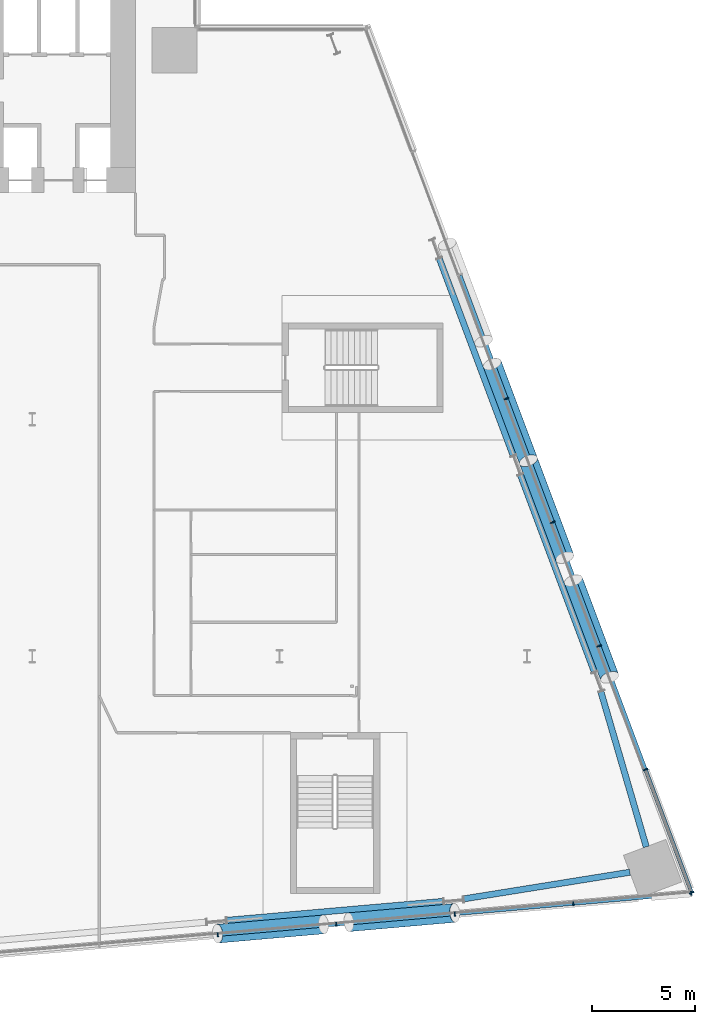
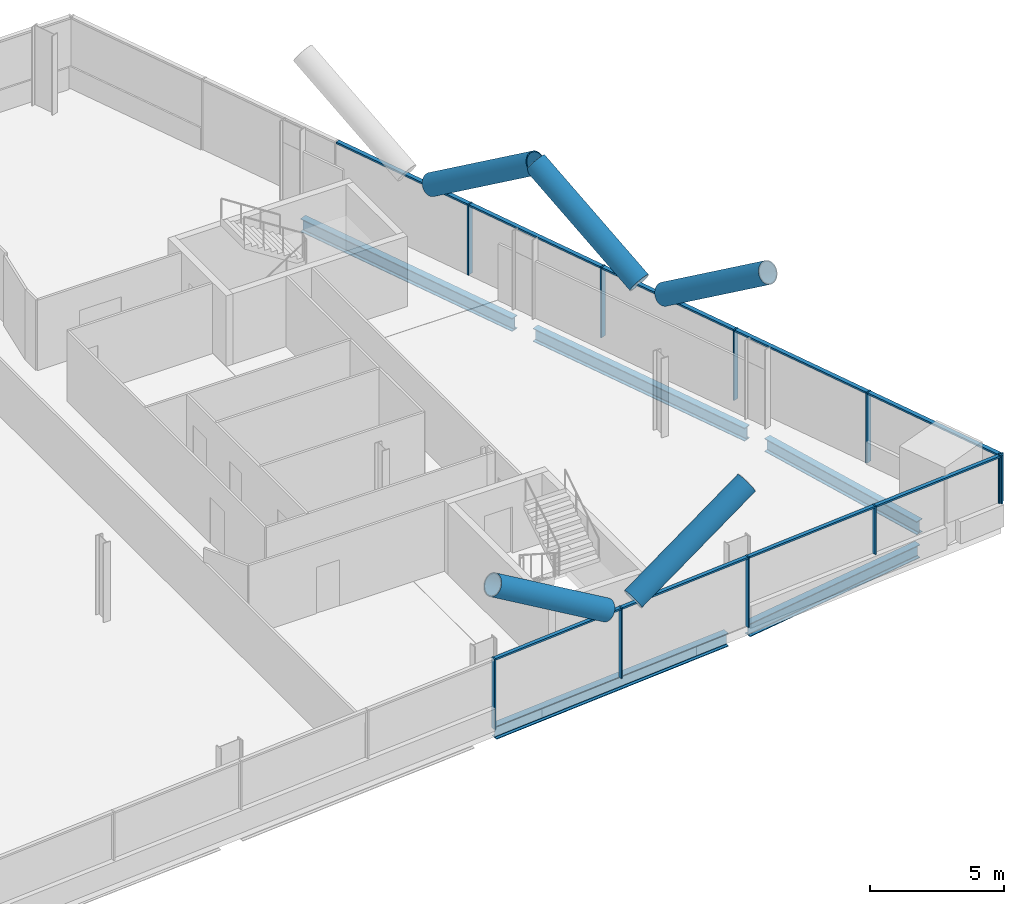
# One storey, part 9 of 25: 24 members, 5 beams, 2 elements without a shape of their own.
"""IFC4 building model written with IfcOpenShell, lengths in metres."""

import ifcopenshell
import ifcopenshell.guid

model = None  # the IFC model being written
_history = None  # IfcOwnerHistory: only IFC2X3 demands one
_inside = {}  # id of a spatial element -> (the spatial element, [elements in it])
_under = {}  # id of a project, library or spatial element -> (it, [spatial elements below it])
_declared = {}  # id of a project -> (the project, [libraries it declares])
_typed = {}  # id of a type object -> (the type object, [elements of that type])
_made_of = {}  # id of a material, layer set ... -> (it, [elements and type objects made of it])


def new_model(schema):
    """Start an empty IFC model of exactly this schema.

    Asked for "IFC4X3", IfcOpenShell would pick the latest addendum, in which some entities
    have other attributes; the version numbers below select the first issue.
    IFC2X3 requires an IfcOwnerHistory on every rooted entity: one is made here for all.
    """
    global model, _history
    if schema == "IFC4X3":
        model = ifcopenshell.file(schema_version=(4, 3, 0, 0))
    else:
        model = ifcopenshell.file(schema=schema)
    _inside.clear()
    _under.clear()
    _declared.clear()
    _typed.clear()
    _made_of.clear()
    _history = None
    if model.schema == "IFC2X3":
        org = make("IfcOrganization", Name="unknown")
        user = make(
            "IfcPersonAndOrganization",
            ThePerson=make("IfcPerson", FamilyName="unknown"),
            TheOrganization=org,
        )
        app = make(
            "IfcApplication",
            ApplicationDeveloper=org,
            Version="unknown",
            ApplicationFullName="unknown",
            ApplicationIdentifier="unknown",
        )
        _history = make(
            "IfcOwnerHistory",
            OwningUser=user,
            OwningApplication=app,
            ChangeAction="ADDED",
            CreationDate=0,
        )
    return model


def make(cls, **values):
    """One entity of the class cls with the attributes given. An attribute that is None is left unset."""
    return model.create_entity(
        cls, **{name: value for name, value in values.items() if value is not None}
    )


def rooted(cls, **values):
    """An entity with a GlobalId (a new one), such as an element, a storey or a relation."""
    return make(cls, GlobalId=ifcopenshell.guid.new(), OwnerHistory=_history, **values)


def si_unit(unit_type, name, prefix=None):
    """IfcSIUnit, for example si_unit("LENGTHUNIT", "METRE", prefix="MILLI")."""
    return make("IfcSIUnit", UnitType=unit_type, Prefix=prefix, Name=name)


def assignment(units):
    """IfcUnitAssignment: the units of a project."""
    return None if units is None else make("IfcUnitAssignment", Units=units)


def point(xyz):
    """IfcCartesianPoint."""
    return None if xyz is None else make("IfcCartesianPoint", Coordinates=xyz)


def direction(xyz):
    """IfcDirection."""
    return None if xyz is None else make("IfcDirection", DirectionRatios=xyz)


def frame(location, z_axis=None, x_axis=None):
    """IfcAxis2Placement3D, a coordinate frame: its origin and axes. An axis left out is left unset."""
    return make(
        "IfcAxis2Placement3D",
        Location=point(location),
        Axis=direction(z_axis),
        RefDirection=direction(x_axis),
    )


def frame_2d(location, x_axis=None):
    """IfcAxis2Placement2D, a coordinate frame in the plane: its origin and x axis."""
    return make(
        "IfcAxis2Placement2D", Location=point(location), RefDirection=direction(x_axis)
    )


def origin():
    """The frame at (0, 0, 0) with its axes left unset."""
    return frame((0.0, 0.0, 0.0))


def origin_2d():
    """The frame at (0, 0) in the plane with its x axis left unset."""
    return frame_2d((0.0, 0.0))


def place(relative_to, where):
    """IfcLocalPlacement: puts the frame where relative to a parent placement (None: the world)."""
    return make(
        "IfcLocalPlacement", PlacementRelTo=relative_to, RelativePlacement=where
    )


def context(
    kind, dimensions, precision=None, world=None, true_north=None, identifier=None
):
    """IfcGeometricRepresentationContext, for example the 3D "Model" context."""
    return make(
        "IfcGeometricRepresentationContext",
        ContextIdentifier=identifier,
        ContextType=kind,
        CoordinateSpaceDimension=dimensions,
        Precision=precision,
        WorldCoordinateSystem=world,
        TrueNorth=true_north,
    )


def subcontext(parent, identifier, kind, view, scale=None):
    """IfcGeometricRepresentationSubContext, for example "Body" below "Model"."""
    return make(
        "IfcGeometricRepresentationSubContext",
        ContextIdentifier=identifier,
        ContextType=kind,
        ParentContext=parent,
        TargetScale=scale,
        TargetView=view,
    )


def project(units=None, contexts=None):
    """IfcProject with its units and contexts."""
    return rooted(
        "IfcProject",
        Name="project",
        RepresentationContexts=contexts,
        UnitsInContext=assignment(units),
    )


def spatial(cls, under=None, at=None, **own):
    """A site, building, storey or space (cls), placed at a placement, below another one or the project."""
    s = rooted(cls, ObjectPlacement=at, **own)
    if under is not None:
        _under.setdefault(under.id(), (under, []))[1].append(s)
    return s


def profile(cls, at=None, kind="AREA", **sizes):
    """A parametric profile (cls). Its sizes go by their IFC names, for example OverallWidth=200.0."""
    return make(cls, ProfileType=kind, Position=at, **sizes)


def rectangle(**sizes):
    """IfcRectangleProfileDef."""
    return profile("IfcRectangleProfileDef", **sizes)


def hollow_circle(**sizes):
    """IfcCircleHollowProfileDef."""
    return profile("IfcCircleHollowProfileDef", **sizes)


def i_section(**sizes):
    """IfcIShapeProfileDef."""
    return profile("IfcIShapeProfileDef", **sizes)


def extrude(swept, where, along, depth):
    """IfcExtrudedAreaSolid: the profile swept, set in the frame where, extruded along a direction by depth."""
    return make(
        "IfcExtrudedAreaSolid",
        SweptArea=swept,
        Position=where,
        ExtrudedDirection=direction(along),
        Depth=depth,
    )


def shape(context_of_items, identifier, shape_type, items):
    """IfcShapeRepresentation: the items that make up one representation, for example the "Body"."""
    return make(
        "IfcShapeRepresentation",
        ContextOfItems=context_of_items,
        RepresentationIdentifier=identifier,
        RepresentationType=shape_type,
        Items=items,
    )


def material(Name=None, Category=None):
    """IfcMaterial."""
    return make("IfcMaterial", Name=Name, Category=Category)


def material_profile(
    of_material, cross_section, Name=None, Category=None, Priority=None
):
    """IfcMaterialProfile: a cross section and its material."""
    return make(
        "IfcMaterialProfile",
        Name=Name,
        Material=of_material,
        Profile=cross_section,
        Priority=Priority,
        Category=Category,
    )


def profile_set(profiles, Name=None, composite=None):
    """IfcMaterialProfileSet."""
    return make(
        "IfcMaterialProfileSet",
        Name=Name,
        MaterialProfiles=profiles,
        CompositeProfile=composite,
    )


def made_of(thing, what):
    """Note that an element or type object is made of a material, layer set ...; save() writes the relation."""
    if what is not None:
        _made_of.setdefault(what.id(), (what, []))[1].append(thing)
    return thing


def type_object(cls, material=None, **own):
    """A type object (cls), such as IfcWallType, which elements share."""
    return made_of(rooted(cls, **own), material)


def element(
    cls,
    number,
    at=None,
    inside=None,
    cuts=None,
    type_object=None,
    material=None,
    context=None,
    identifier="Body",
    shape_type=None,
    held_by="IfcProductDefinitionShape",
    body=None,
    shapes=None,
    **own,
):
    """One element of the class cls, such as IfcWall. Its Tag is "e" and its number.

    at: its placement. inside: the storey or other place that contains it. cuts: it is an
    opening in that element (IfcRelVoidsElement). A single representation is given by context,
    identifier, shape_type and body (its items); several are given by shapes. held_by: the class
    of the entity that holds the representations. save() writes the other relations.
    """
    e = rooted(cls, Tag="e%d" % number, ObjectPlacement=at, **own)
    if body is not None:
        shapes = [shape(context, identifier, shape_type, body)]
    if shapes is not None:
        e.Representation = make(held_by, Representations=shapes)
    if inside is not None:
        _inside.setdefault(inside.id(), (inside, []))[1].append(e)
    if cuts is not None:
        rooted(
            "IfcRelVoidsElement", RelatingBuildingElement=cuts, RelatedOpeningElement=e
        )
    if type_object is not None:
        _typed.setdefault(type_object.id(), (type_object, []))[1].append(e)
    return made_of(e, material)


def aggregate(whole, parts):
    """IfcRelAggregates: a whole, such as a stair, and the parts it consists of."""
    return rooted("IfcRelAggregates", RelatingObject=whole, RelatedObjects=parts)


def save(model, path):
    """Write the relations noted so far, then the file.

    IfcRelAggregates (storeys below a building ...), IfcRelContainedInSpatialStructure (elements
    in a storey), IfcRelDefinesByType, IfcRelAssociatesMaterial and IfcRelDeclares: one each for
    every whole, place, type object, material and project.
    """
    for whole, parts in _under.values():
        aggregate(whole, parts)
    for where, things in _inside.values():
        rooted(
            "IfcRelContainedInSpatialStructure",
            RelatedElements=things,
            RelatingStructure=where,
        )
    for kind, things in _typed.values():
        rooted("IfcRelDefinesByType", RelatedObjects=things, RelatingType=kind)
    for what, things in _made_of.values():
        rooted("IfcRelAssociatesMaterial", RelatedObjects=things, RelatingMaterial=what)
    for by, libraries in _declared.values():
        rooted("IfcRelDeclares", RelatingContext=by, RelatedDefinitions=libraries)
    model.write(path)


model = new_model("IFC4")

# Units and contexts
model_context = context("Model", 3, precision=1e-05, world=origin(), true_north=direction((0.0, 1.0)))
body_context = subcontext(model_context, "Body", "Model", "MODEL_VIEW")
ifc_project = project(units=[si_unit("LENGTHUNIT", "METRE"), si_unit("AREAUNIT", "SQUARE_METRE"), si_unit("VOLUMEUNIT", "CUBIC_METRE"), si_unit("PLANEANGLEUNIT", "RADIAN"), si_unit("MASSUNIT", "GRAM", prefix="KILO")], contexts=[model_context])

# Site, building, storey
site_placement = place(None, origin())
site = spatial("IfcSite", under=ifc_project, at=site_placement, CompositionType="ELEMENT")
building_placement = place(site_placement, origin())
building = spatial("IfcBuilding", under=site, at=building_placement, Name="Wharfspan Tower", CompositionType="ELEMENT")
storey_placement = place(building_placement, frame((0.0, 0.0, 70.300049)))
storey = spatial("IfcBuildingStorey", under=building, at=storey_placement, Name="L14", CompositionType="ELEMENT", Elevation=70.300049)

# Beams
ifc_material_1 = material(Name="Steel S355J2", Category="steel")
ifc_material_profile_1 = material_profile(ifc_material_1, i_section(OverallWidth=0.300049, OverallDepth=0.600098, WebThickness=0.015381, FlangeThickness=0.030029, FilletRadius=0.0271, at=origin_2d()))
ifc_profile_set_1 = profile_set([ifc_material_profile_1], Name="Steel S355J2")
beam_type = type_object("IfcBeamType", Name="Edge beam HEB 600", PredefinedType="SPANDREL", material=ifc_profile_set_1)
beam_1_placement = place(storey_placement, frame((69.440674, -1.311279, -0.699951), z_axis=(0.996193, 0.087178, 0.0), x_axis=(-0.087178, 0.996193, 0.0)))
element("IfcBeam", 1, at=beam_1_placement, inside=storey, type_object=beam_type, Name="Edge beam S2 L14 PS2.2 to PS2.3", PredefinedType="SPANDREL", context=body_context, shape_type="SweptSolid", body=[
    extrude(i_section(OverallWidth=0.300049, OverallDepth=0.600098, WebThickness=0.015381, FlangeThickness=0.030029, FilletRadius=0.0271, at=origin_2d()), origin(), (0.0, 0.0, 1.0), 10.543701),
])
beam_2_placement = place(storey_placement, frame((80.9375, -0.269287, -0.699951), z_axis=(0.987379, 0.158378, 0.0), x_axis=(-0.158378, 0.987379, 0.0)))
element("IfcBeam", 2, at=beam_2_placement, inside=storey, type_object=beam_type, Name="Edge beam S2 L14 PS2.3 to MC4", PredefinedType="SPANDREL", context=body_context, shape_type="SweptSolid", body=[
    extrude(i_section(OverallWidth=0.300049, OverallDepth=0.600098, WebThickness=0.015381, FlangeThickness=0.030029, FilletRadius=0.0271, at=origin_2d()), origin(), (0.0, 0.0, 1.0), 8.157715),
])
beam_3_placement = place(storey_placement, frame((89.788086, 2.254639, -0.699951), z_axis=(-0.280694, 0.959797, 0.0), x_axis=(-0.959797, -0.280694, 0.0)))
element("IfcBeam", 3, at=beam_3_placement, inside=storey, type_object=beam_type, Name="Edge beam E L14 MC4 to PE.1", PredefinedType="SPANDREL", context=body_context, shape_type="SweptSolid", body=[
    extrude(i_section(OverallWidth=0.300049, OverallDepth=0.600098, WebThickness=0.015381, FlangeThickness=0.030029, FilletRadius=0.0271, at=origin_2d()), origin(), (0.0, 0.0, 1.0), 7.8479),
])
for number, where, z_axis, x_axis, name in (
    (4, (87.269043, 10.736328, -0.699951), (-0.351126, 0.936328, 0.0), (-0.936328, -0.351126, 0.0), "Edge beam E L14 PE.1 to PE.2"),
    (5, (83.331543, 21.236328, -0.699951), (-0.351126, 0.936328, 0.0), (-0.936328, -0.351126, 0.0), "Edge beam E L14 PE.2 to PE.3"),
):
    element("IfcBeam", number, at=place(storey_placement, frame(where, z_axis=z_axis, x_axis=x_axis)), inside=storey, type_object=beam_type, Name=name, PredefinedType="SPANDREL", context=body_context, shape_type="SweptSolid", body=[
        extrude(i_section(OverallWidth=0.300049, OverallDepth=0.600098, WebThickness=0.015381, FlangeThickness=0.030029, FilletRadius=0.0271, at=origin_2d()), origin(), (0.0, 0.0, 1.0), 10.214111),
    ])

# Curtain wall, members
ifc_material_2 = material(Name="Aluminium 6063-T6", Category="aluminium")
curtain_wall_type_1 = type_object("IfcCurtainWallType", Name="CURTAIN WALL FACETED FRONT", PredefinedType="NOTDEFINED", material=ifc_material_2)
curtain_wall_1_placement = place(storey_placement, origin())
curtain_wall_1 = element("IfcCurtainWall", 6, at=curtain_wall_1_placement, inside=storey, type_object=curtain_wall_type_1, Name="Curtain wall S2", PredefinedType="NOTDEFINED")
ifc_material_profile_2 = material_profile(ifc_material_2, rectangle(XDim=0.199951, YDim=0.060059, at=origin_2d()))
ifc_profile_set_2 = profile_set([ifc_material_profile_2], Name="Aluminium 6063-T6")
member_type_1 = type_object("IfcMemberType", Name="MULLION FACETED FRONT 60x200", PredefinedType="MULLION", material=ifc_profile_set_2)
member_1_placement = place(storey_placement, frame((69.0, -2.012207, 0.0), z_axis=(0.0, 0.0, 1.0), x_axis=(-0.087156, 0.996197, 0.0)))
member_1 = element("IfcMember", 7, at=member_1_placement, type_object=member_type_1, Name="Curtain wall S2 mullion 5", PredefinedType="MULLION", context=body_context, shape_type="SweptSolid", body=[
    extrude(rectangle(XDim=0.199951, YDim=0.060059, at=origin_2d()), origin(), (0.0, 0.0, 1.0), 3.199951),
])
member_2_placement = place(storey_placement, frame((74.75, -1.509277, 0.0), z_axis=(0.0, 0.0, 1.0), x_axis=(-0.087156, 0.996197, 0.0)))
member_2 = element("IfcMember", 8, at=member_2_placement, type_object=member_type_1, Name="Curtain wall S2 mullion 6", PredefinedType="MULLION", context=body_context, shape_type="SweptSolid", body=[
    extrude(rectangle(XDim=0.199951, YDim=0.060059, at=origin_2d()), origin(), (0.0, 0.0, 1.0), 3.199951),
])
member_3_placement = place(storey_placement, frame((80.5, -1.006104, 0.0), z_axis=(0.0, 0.0, 1.0), x_axis=(-0.087156, 0.996197, 0.0)))
member_3 = element("IfcMember", 9, at=member_3_placement, type_object=member_type_1, Name="Curtain wall S2 mullion 7", PredefinedType="MULLION", context=body_context, shape_type="SweptSolid", body=[
    extrude(rectangle(XDim=0.199951, YDim=0.060059, at=origin_2d()), origin(), (0.0, 0.0, 1.0), 3.199951),
])
member_4_placement = place(storey_placement, frame((86.25, -0.503174, 1.0), z_axis=(0.0, 0.0, 1.0), x_axis=(-0.087156, 0.996197, 0.0)))
member_4 = element("IfcMember", 10, at=member_4_placement, type_object=member_type_1, Name="Curtain wall S2 mullion 8", PredefinedType="MULLION", context=body_context, shape_type="SweptSolid", body=[
    extrude(rectangle(XDim=0.199951, YDim=0.060059, at=origin_2d()), origin(), (0.0, 0.0, 1.0), 2.199951),
])
member_5_placement = place(storey_placement, frame((91.970215, -0.002686, 1.0), z_axis=(0.0, 0.0, 1.0), x_axis=(-0.087156, 0.996197, 0.0)))
member_5 = element("IfcMember", 11, at=member_5_placement, type_object=member_type_1, Name="Curtain wall S2 mullion 9", PredefinedType="MULLION", context=body_context, shape_type="SweptSolid", body=[
    extrude(rectangle(XDim=0.199951, YDim=0.060059, at=origin_2d()), origin(), (0.0, 0.0, 1.0), 2.199951),
])

curtain_wall_type_2 = type_object("IfcCurtainWallType", Name="CURTAIN WALL PROW AND END", PredefinedType="NOTDEFINED", material=ifc_material_2)
curtain_wall_2_placement = place(storey_placement, origin())
curtain_wall_2 = element("IfcCurtainWall", 12, at=curtain_wall_2_placement, inside=storey, type_object=curtain_wall_type_2, Name="Curtain wall E", PredefinedType="NOTDEFINED")
ifc_material_profile_3 = material_profile(ifc_material_2, rectangle(XDim=0.23999, YDim=0.060059, at=origin_2d()))
ifc_profile_set_3 = profile_set([ifc_material_profile_3], Name="Aluminium 6063-T6")
member_type_2 = type_object("IfcMemberType", Name="MULLION PROW AND END 60x240", PredefinedType="MULLION", material=ifc_profile_set_3)
member_6_placement = place(storey_placement, frame((91.989502, 0.028076, 1.0), z_axis=(0.0, 0.0, 1.0), x_axis=(-0.936328, -0.351123, 0.0)))
member_6 = element("IfcMember", 13, at=member_6_placement, type_object=member_type_2, Name="Curtain wall E mullion 1", PredefinedType="MULLION", context=body_context, shape_type="SweptSolid", body=[
    extrude(rectangle(XDim=0.23999, YDim=0.060059, at=origin_2d()), origin(), (0.0, 0.0, 1.0), 2.199951),
])
member_7_placement = place(storey_placement, frame((89.75, 6.0, 0.0), z_axis=(0.0, 0.0, 1.0), x_axis=(-0.936328, -0.351123, 0.0)))
member_7 = element("IfcMember", 14, at=member_7_placement, type_object=member_type_2, Name="Curtain wall E mullion 2", PredefinedType="MULLION", context=body_context, shape_type="SweptSolid", body=[
    extrude(rectangle(XDim=0.23999, YDim=0.060059, at=origin_2d()), origin(), (0.0, 0.0, 1.0), 3.199951),
])
member_8_placement = place(storey_placement, frame((87.5, 12.0, 0.0), z_axis=(0.0, 0.0, 1.0), x_axis=(-0.936328, -0.351123, 0.0)))
member_8 = element("IfcMember", 15, at=member_8_placement, type_object=member_type_2, Name="Curtain wall E mullion 3", PredefinedType="MULLION", context=body_context, shape_type="SweptSolid", body=[
    extrude(rectangle(XDim=0.23999, YDim=0.060059, at=origin_2d()), origin(), (0.0, 0.0, 1.0), 3.199951),
])
member_9_placement = place(storey_placement, frame((85.25, 18.0, 0.0), z_axis=(0.0, 0.0, 1.0), x_axis=(-0.936328, -0.351123, 0.0)))
member_9 = element("IfcMember", 16, at=member_9_placement, type_object=member_type_2, Name="Curtain wall E mullion 4", PredefinedType="MULLION", context=body_context, shape_type="SweptSolid", body=[
    extrude(rectangle(XDim=0.23999, YDim=0.060059, at=origin_2d()), origin(), (0.0, 0.0, 1.0), 3.199951),
])
member_10_placement = place(storey_placement, frame((83.0, 24.0, 0.0), z_axis=(0.0, 0.0, 1.0), x_axis=(-0.936328, -0.351123, 0.0)))
member_10 = element("IfcMember", 17, at=member_10_placement, type_object=member_type_2, Name="Curtain wall E mullion 5", PredefinedType="MULLION", context=body_context, shape_type="SweptSolid", body=[
    extrude(rectangle(XDim=0.23999, YDim=0.060059, at=origin_2d()), origin(), (0.0, 0.0, 1.0), 3.199951),
])

# Members
ifc_material_3 = material(Name="Steel S460NH", Category="steel")
ifc_material_profile_4 = material_profile(ifc_material_3, hollow_circle(Radius=0.457031, WallThickness=0.040039, at=origin_2d()))
ifc_profile_set_4 = profile_set([ifc_material_profile_4], Name="Steel S460NH")
member_type_3 = type_object("IfcMemberType", Name="Mega brace CHS 914x40", PredefinedType="BRACE", material=ifc_profile_set_4)
member_11_placement = place(storey_placement, frame((75.361328, -1.400391, 3.285645), z_axis=(0.845253, 0.073921, 0.529228), x_axis=(-0.08712, 0.996199, -3e-06)))
element("IfcMember", 18, at=member_11_placement, inside=storey, type_object=member_type_3, Name="Mega brace S2 L14 part 2", PredefinedType="BRACE", context=body_context, shape_type="SweptSolid", body=[
    extrude(hollow_circle(Radius=0.457031, WallThickness=0.040039, at=origin_2d()), origin(), (0.0, 0.0, 1.0), 6.07373),
])
member_12_placement = place(storey_placement, frame((74.12915, -1.508301, 3.285645), z_axis=(-0.845262, -0.073959, 0.529208), x_axis=(0.087167, -0.996192, 3e-06)))
element("IfcMember", 19, at=member_12_placement, inside=storey, type_object=member_type_3, Name="Mega brace S2 L14 part 4", PredefinedType="BRACE", context=body_context, shape_type="SweptSolid", body=[
    extrude(hollow_circle(Radius=0.457031, WallThickness=0.040039, at=origin_2d()), origin(), (0.0, 0.0, 1.0), 6.073975),
])
for number, where, z_axis, x_axis, name in (
    (20, (85.833008, 16.288574, 3.282471), (-0.295459, 0.787904, 0.540288), (-0.936328, -0.351115, -3e-06), "Mega brace E5 L14 part 2"),
    (21, (86.251465, 15.172852, 3.282471), (0.295459, -0.787904, 0.540288), (0.936328, 0.351115, -3e-06), "Mega brace E5 L14 part 4"),
    (22, (82.313965, 25.672852, 3.282471), (0.295459, -0.787904, 0.540288), (0.936328, 0.351115, -3e-06), "Mega brace E6 L14 part 4"),
):
    element("IfcMember", number, at=place(storey_placement, frame(where, z_axis=z_axis, x_axis=x_axis)), inside=storey, type_object=member_type_3, Name=name, PredefinedType="BRACE", context=body_context, shape_type="SweptSolid", body=[
        extrude(hollow_circle(Radius=0.457031, WallThickness=0.040039, at=origin_2d()), origin(), (0.0, 0.0, 1.0), 5.955322),
    ])

# Member
ifc_material_profile_5 = material_profile(ifc_material_2, rectangle(XDim=0.159912, YDim=0.080078, at=origin_2d()))
ifc_profile_set_5 = profile_set([ifc_material_profile_5], Name="Aluminium 6063-T6")
member_type_4 = type_object("IfcMemberType", Name="TRANSOM FACETED FRONT 80x160", PredefinedType="USERDEFINED", material=ifc_profile_set_5)
member_13_placement = place(storey_placement, frame((69.029785, -2.009521, 3.159912), z_axis=(0.996195, 0.087148, 0.0), x_axis=(-0.087148, 0.996195, 0.0)))
member_13 = element("IfcMember", 23, at=member_13_placement, type_object=member_type_4, Name="Curtain wall S2 transom 5", ObjectType="TRANSOM", PredefinedType="USERDEFINED", context=body_context, shape_type="SweptSolid", body=[
    extrude(rectangle(XDim=0.159912, YDim=0.080078, at=origin_2d()), origin(), (0.0, 0.0, 1.0), 5.712158),
])

member_14_placement = place(storey_placement, frame((74.779785, -1.506592, 3.159912), z_axis=(0.996195, 0.087148, 0.0), x_axis=(-0.087148, 0.996195, 0.0)))
member_14 = element("IfcMember", 24, at=member_14_placement, type_object=member_type_4, Name="Curtain wall S2 transom 6", ObjectType="TRANSOM", PredefinedType="USERDEFINED", context=body_context, shape_type="SweptSolid", body=[
    extrude(rectangle(XDim=0.159912, YDim=0.080078, at=origin_2d()), origin(), (0.0, 0.0, 1.0), 5.712158),
])

member_15_placement = place(storey_placement, frame((80.529785, -1.003418, 3.159912), z_axis=(0.996195, 0.087148, 0.0), x_axis=(-0.087148, 0.996195, 0.0)))
member_15 = element("IfcMember", 25, at=member_15_placement, type_object=member_type_4, Name="Curtain wall S2 transom 7", ObjectType="TRANSOM", PredefinedType="USERDEFINED", context=body_context, shape_type="SweptSolid", body=[
    extrude(rectangle(XDim=0.159912, YDim=0.080078, at=origin_2d()), origin(), (0.0, 0.0, 1.0), 5.712158),
])

member_16_placement = place(storey_placement, frame((86.279785, -0.500488, 3.159912), z_axis=(0.996193, 0.08718, 0.0), x_axis=(-0.08718, 0.996193, 0.0)))
member_16 = element("IfcMember", 26, at=member_16_placement, type_object=member_type_4, Name="Curtain wall S2 transom 8", ObjectType="TRANSOM", PredefinedType="USERDEFINED", context=body_context, shape_type="SweptSolid", body=[
    extrude(rectangle(XDim=0.159912, YDim=0.080078, at=origin_2d()), origin(), (0.0, 0.0, 1.0), 5.682129),
])

aggregate(curtain_wall_1, [member_1, member_2, member_3, member_4, member_5, member_13, member_14, member_15, member_16])

ifc_material_profile_6 = material_profile(ifc_material_2, rectangle(XDim=0.179932, YDim=0.080078, at=origin_2d()))
ifc_profile_set_6 = profile_set([ifc_material_profile_6], Name="Aluminium 6063-T6")
member_type_5 = type_object("IfcMemberType", Name="TRANSOM PROW AND END 80x180", PredefinedType="USERDEFINED", material=ifc_profile_set_6)
member_17_placement = place(storey_placement, frame((91.979004, 0.056152, 3.159912), z_axis=(-0.351136, 0.936324, 0.0), x_axis=(-0.936324, -0.351136, 0.0)))
member_17 = element("IfcMember", 27, at=member_17_placement, type_object=member_type_5, Name="Curtain wall E transom 1", ObjectType="TRANSOM", PredefinedType="USERDEFINED", context=body_context, shape_type="SweptSolid", body=[
    extrude(rectangle(XDim=0.179932, YDim=0.080078, at=origin_2d()), origin(), (0.0, 0.0, 1.0), 6.318115),
])

member_18_placement = place(storey_placement, frame((89.739502, 6.028076, 3.159912), z_axis=(-0.351132, 0.936326, 0.0), x_axis=(-0.936326, -0.351132, 0.0)))
member_18 = element("IfcMember", 28, at=member_18_placement, type_object=member_type_5, Name="Curtain wall E transom 2", ObjectType="TRANSOM", PredefinedType="USERDEFINED", context=body_context, shape_type="SweptSolid", body=[
    extrude(rectangle(XDim=0.179932, YDim=0.080078, at=origin_2d()), origin(), (0.0, 0.0, 1.0), 6.348145),
])

member_19_placement = place(storey_placement, frame((87.489502, 12.028076, 3.159912), z_axis=(-0.351132, 0.936326, 0.0), x_axis=(-0.936326, -0.351132, 0.0)))
member_19 = element("IfcMember", 29, at=member_19_placement, type_object=member_type_5, Name="Curtain wall E transom 3", ObjectType="TRANSOM", PredefinedType="USERDEFINED", context=body_context, shape_type="SweptSolid", body=[
    extrude(rectangle(XDim=0.179932, YDim=0.080078, at=origin_2d()), origin(), (0.0, 0.0, 1.0), 6.348145),
])

member_20_placement = place(storey_placement, frame((85.239502, 18.028076, 3.159912), z_axis=(-0.351132, 0.936326, 0.0), x_axis=(-0.936326, -0.351132, 0.0)))
member_20 = element("IfcMember", 30, at=member_20_placement, type_object=member_type_5, Name="Curtain wall E transom 4", ObjectType="TRANSOM", PredefinedType="USERDEFINED", context=body_context, shape_type="SweptSolid", body=[
    extrude(rectangle(XDim=0.179932, YDim=0.080078, at=origin_2d()), origin(), (0.0, 0.0, 1.0), 6.348145),
])

member_21_placement = place(storey_placement, frame((82.989502, 24.028076, 3.159912), z_axis=(-0.351132, 0.936326, 0.0), x_axis=(-0.936326, -0.351132, 0.0)))
member_21 = element("IfcMember", 31, at=member_21_placement, type_object=member_type_5, Name="Curtain wall E transom 5", ObjectType="TRANSOM", PredefinedType="USERDEFINED", context=body_context, shape_type="SweptSolid", body=[
    extrude(rectangle(XDim=0.179932, YDim=0.080078, at=origin_2d()), origin(), (0.0, 0.0, 1.0), 6.348145),
])

aggregate(curtain_wall_2, [member_6, member_7, member_8, member_9, member_10, member_17, member_18, member_19, member_20, member_21])

save(model, "model.ifc")
